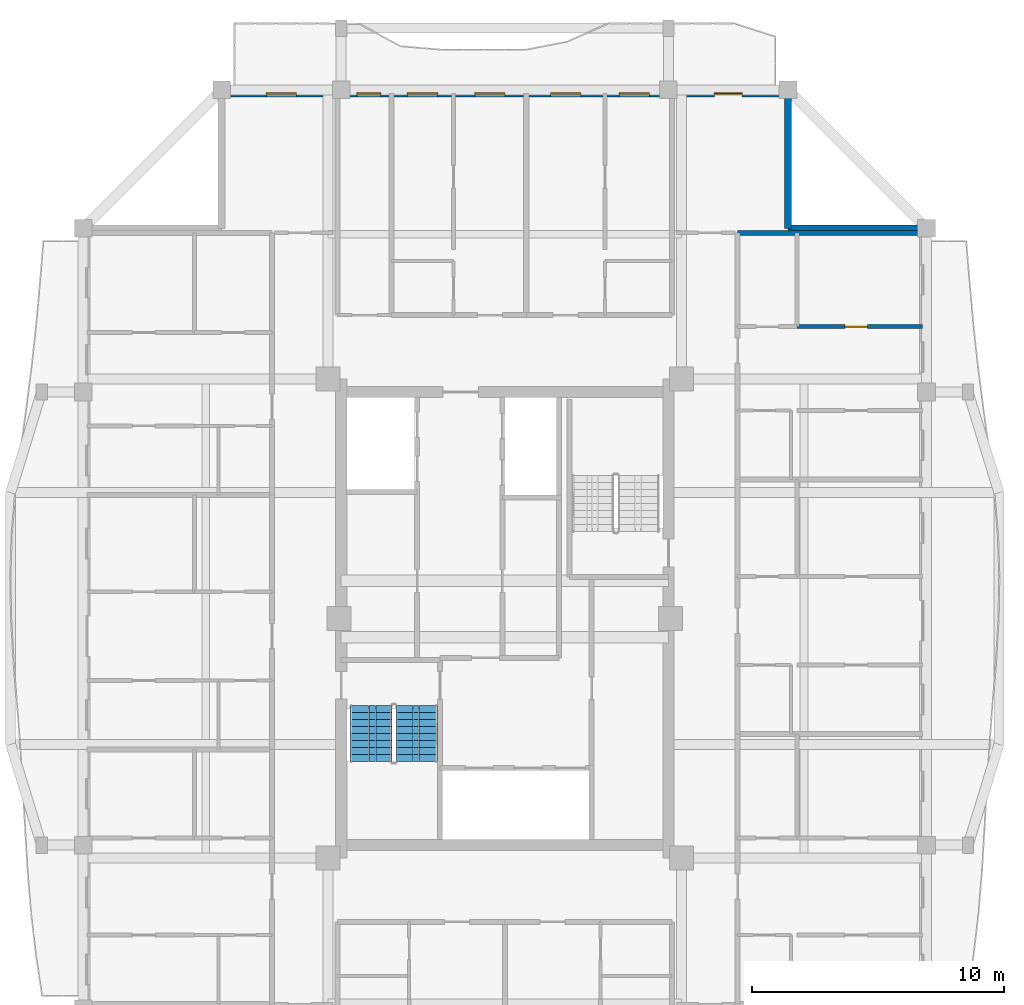
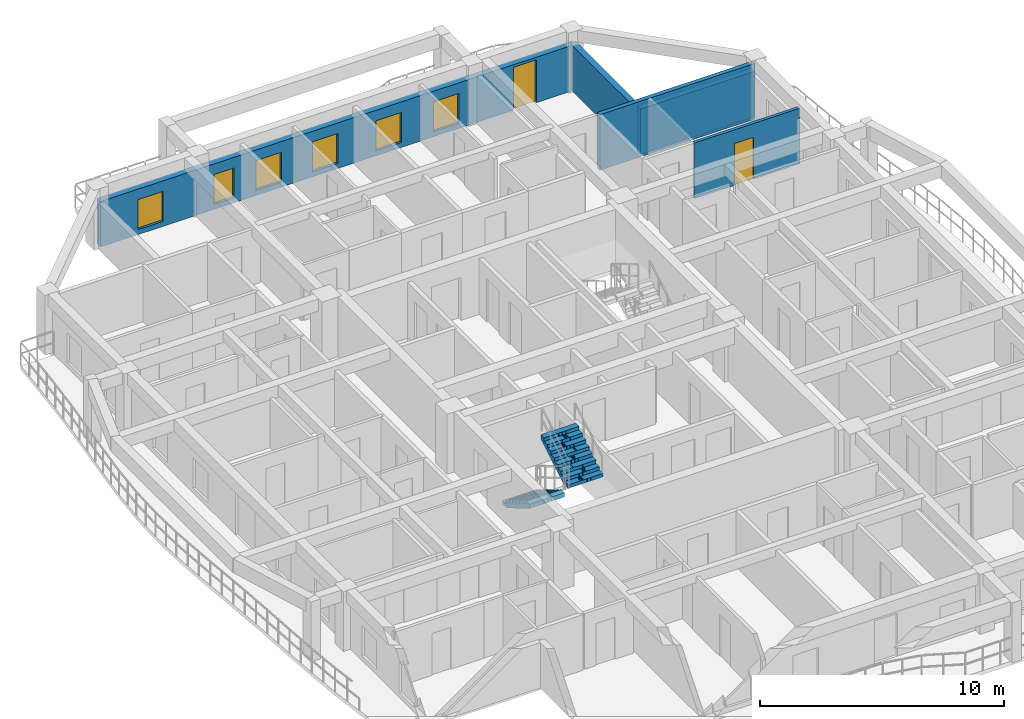
# One storey, part 7 of 13: 6 windows, 5 walls, 2 doors, 2 stair flights, 8 openings, 1 element without a shape of its own.
"""IFC4 building model written with IfcOpenShell, lengths in metres."""

from ifc_helpers import new_model, si_unit, direction, frame, frame_2d, origin, place, context, subcontext, project, spatial, polyline, rectangle, outline, extrude, source, transform, mapped, material, layer, layer_set, type_object, element, fill, aggregate, save


model = new_model("IFC4")

# Units and contexts
model_context = context("Model", 3, precision=1e-05, world=origin(), true_north=direction((0.0, 1.0)))
body_context = subcontext(model_context, "Body", "Model", "MODEL_VIEW")
ifc_project = project(units=[si_unit("LENGTHUNIT", "METRE"), si_unit("AREAUNIT", "SQUARE_METRE"), si_unit("VOLUMEUNIT", "CUBIC_METRE"), si_unit("PLANEANGLEUNIT", "RADIAN"), si_unit("MASSUNIT", "GRAM", prefix="KILO")], contexts=[model_context])

# Site, building, storey
site_placement = place(None, origin())
site = spatial("IfcSite", under=ifc_project, at=site_placement, CompositionType="ELEMENT")
building_placement = place(site_placement, origin())
building = spatial("IfcBuilding", under=site, at=building_placement, Name="Saelheon Loggia Tower", CompositionType="ELEMENT")
storey_placement = place(building_placement, frame((0.0, 0.0, 223.199951171875)))
storey = spatial("IfcBuildingStorey", under=building, at=storey_placement, Name="L69", CompositionType="ELEMENT", Elevation=223.199951171875)

# Wall, openings, windows, door
ifc_material_1 = material(Name="Architectural Precast Concrete C40/50", Category="concrete")
ifc_layer_1 = layer(ifc_material_1, 0.280029296875)
ifc_layer_set_1 = layer_set([ifc_layer_1], Name="Architectural Precast Concrete C40/50")
wall_type_1 = type_object("IfcWallType", Name="Wall_Ext_Loggia_280", PredefinedType="SOLIDWALL", material=ifc_layer_set_1)
wall_1_placement = place(storey_placement, frame((26.75, 47.860107421875, 0.0), z_axis=(0.0, 0.0, 1.0), x_axis=(1.0, 0.0, 0.0)))
wall_1 = element("IfcWall", 1, at=wall_1_placement, inside=storey, type_object=wall_type_1, Name="L69 North Loggia Inner Wall", PredefinedType="SOLIDWALL", context=body_context, shape_type="SweptSolid", body=[
    extrude(rectangle(XDim=22.5, YDim=0.280029296875, at=frame_2d((11.25, 0.0))), origin(), (0.0, 0.0, 1.0), 2.280029296875),
])
opening_1_placement = place(wall_1_placement, frame((1.77490234375, 0.0, 0.25)))
opening_1 = element("IfcOpeningElement", 2, at=opening_1_placement, cuts=wall_1, Name="Opening WN-03", PredefinedType="OPENING", context=body_context, shape_type="SweptSolid", body=[
    extrude(rectangle(XDim=1.199951171875, YDim=1.5, at=frame_2d((0.60009765625, 0.75))), frame((0.0, 0.152099609375, 0.0), z_axis=(0.0, -1.0, 0.0), x_axis=(1.0, 0.0, 0.0)), (0.0, 0.0, 1.0), 0.303955078125),
])
opening_2_placement = place(wall_1_placement, frame((5.3701171875, 0.0, 0.25)))
opening_2 = element("IfcOpeningElement", 3, at=opening_2_placement, cuts=wall_1, Name="Opening WN-04", PredefinedType="OPENING", context=body_context, shape_type="SweptSolid", body=[
    extrude(rectangle(XDim=0.949951171875, YDim=1.5, at=frame_2d((0.47509765625, 0.75))), frame((0.0, 0.152099609375, 0.0), z_axis=(0.0, -1.0, 0.0), x_axis=(1.0, 0.0, 0.0)), (0.0, 0.0, 1.0), 0.303955078125),
])
opening_3_placement = place(wall_1_placement, frame((7.381103515625, 0.0, 0.25)))
opening_3 = element("IfcOpeningElement", 4, at=opening_3_placement, cuts=wall_1, Name="Opening WN-03", PredefinedType="OPENING", context=body_context, shape_type="SweptSolid", body=[
    extrude(rectangle(XDim=1.199951171875, YDim=1.5, at=frame_2d((0.60009765625, 0.75))), frame((0.0, 0.152099609375, 0.0), z_axis=(0.0, -1.0, 0.0), x_axis=(1.0, 0.0, 0.0)), (0.0, 0.0, 1.0), 0.303955078125),
])
opening_4_placement = place(wall_1_placement, frame((10.056884765625, 0.0, 0.25)))
opening_4 = element("IfcOpeningElement", 5, at=opening_4_placement, cuts=wall_1, Name="Opening WN-03", PredefinedType="OPENING", context=body_context, shape_type="SweptSolid", body=[
    extrude(rectangle(XDim=1.199951171875, YDim=1.5, at=frame_2d((0.60009765625, 0.75))), frame((0.0, 0.152099609375, 0.0), z_axis=(0.0, -1.0, 0.0), x_axis=(1.0, 0.0, 0.0)), (0.0, 0.0, 1.0), 0.303955078125),
])
opening_5_placement = place(wall_1_placement, frame((13.0673828125, 0.0, 0.25)))
opening_5 = element("IfcOpeningElement", 6, at=opening_5_placement, cuts=wall_1, Name="Opening WN-03", PredefinedType="OPENING", context=body_context, shape_type="SweptSolid", body=[
    extrude(rectangle(XDim=1.199951171875, YDim=1.5, at=frame_2d((0.60009765625, 0.75))), frame((0.0, 0.152099609375, 0.0), z_axis=(0.0, -1.0, 0.0), x_axis=(1.0, 0.0, 0.0)), (0.0, 0.0, 1.0), 0.303955078125),
])
opening_6_placement = place(wall_1_placement, frame((15.79638671875, 0.0, 0.25)))
opening_6 = element("IfcOpeningElement", 7, at=opening_6_placement, cuts=wall_1, Name="Opening WN-03", PredefinedType="OPENING", context=body_context, shape_type="SweptSolid", body=[
    extrude(rectangle(XDim=1.199951171875, YDim=1.5, at=frame_2d((0.60009765625, 0.75))), frame((0.0, 0.152099609375, 0.0), z_axis=(0.0, -1.0, 0.0), x_axis=(1.0, 0.0, 0.0)), (0.0, 0.0, 1.0), 0.303955078125),
])
opening_7_placement = place(wall_1_placement, frame((19.574951171875, 0.0, 0.0)))
opening_7 = element("IfcOpeningElement", 8, at=opening_7_placement, cuts=wall_1, Name="Opening TD1", PredefinedType="OPENING", context=body_context, shape_type="SweptSolid", body=[
    extrude(rectangle(XDim=1.10009765625, YDim=2.14990234375, at=frame_2d((0.550048828125, 1.074951171875))), frame((0.0, 0.152099609375, 0.0), z_axis=(0.0, -1.0, 0.0), x_axis=(1.0, 0.0, 0.0)), (0.0, 0.0, 1.0), 0.303955078125),
])
ifc_material_2 = material(Name="Thermal-Break Aluminium and Triple Low-E Glass", Category="aluminium")
window_type_1 = type_object("IfcWindowType", Name="Win_Bedroom_1200x1500", PartitioningType="SINGLE_PANEL", PredefinedType="WINDOW", material=ifc_material_2)
shared_shape_1 = source(origin(), body_context, "Body", "SweptSolid", [
    extrude(rectangle(XDim=1.199951171875, YDim=1.5, at=frame_2d((0.60009765625, 0.75))), frame((0.0, 0.030029296875, 0.0), z_axis=(0.0, -1.0, 0.0), x_axis=(1.0, 0.0, 0.0)), (0.0, 0.0, 1.0), 0.06005859375),
])
window_1_placement = place(opening_1_placement, origin())
window_1 = element("IfcWindow", 9, at=window_1_placement, inside=storey, type_object=window_type_1, Name="L69 N Dwelling Window 1", OverallHeight=1.5, OverallWidth=1.199951171875, PartitioningType="SINGLE_PANEL", PredefinedType="WINDOW", context=body_context, shape_type="MappedRepresentation", body=[
    mapped(shared_shape_1, transform((0.0, 0.0, 0.0), scale=1.0)),
])
fill(opening_1, window_1)
window_2_placement = place(opening_3_placement, origin())
window_2 = element("IfcWindow", 10, at=window_2_placement, inside=storey, type_object=window_type_1, Name="L69 N Dwelling Window 3", OverallHeight=1.5, OverallWidth=1.199951171875, PartitioningType="SINGLE_PANEL", PredefinedType="WINDOW", context=body_context, shape_type="MappedRepresentation", body=[
    mapped(shared_shape_1, transform((0.0, 0.0, 0.0), scale=1.0)),
])
fill(opening_3, window_2)
window_3_placement = place(opening_4_placement, origin())
window_3 = element("IfcWindow", 11, at=window_3_placement, inside=storey, type_object=window_type_1, Name="L69 N Dwelling Window 4", OverallHeight=1.5, OverallWidth=1.199951171875, PartitioningType="SINGLE_PANEL", PredefinedType="WINDOW", context=body_context, shape_type="MappedRepresentation", body=[
    mapped(shared_shape_1, transform((0.0, 0.0, 0.0), scale=1.0)),
])
fill(opening_4, window_3)
window_4_placement = place(opening_5_placement, origin())
window_4 = element("IfcWindow", 12, at=window_4_placement, inside=storey, type_object=window_type_1, Name="L69 N Dwelling Window 5", OverallHeight=1.5, OverallWidth=1.199951171875, PartitioningType="SINGLE_PANEL", PredefinedType="WINDOW", context=body_context, shape_type="MappedRepresentation", body=[
    mapped(shared_shape_1, transform((0.0, 0.0, 0.0), scale=1.0)),
])
fill(opening_5, window_4)
window_5_placement = place(opening_6_placement, origin())
window_5 = element("IfcWindow", 13, at=window_5_placement, inside=storey, type_object=window_type_1, Name="L69 N Dwelling Window 6", OverallHeight=1.5, OverallWidth=1.199951171875, PartitioningType="SINGLE_PANEL", PredefinedType="WINDOW", context=body_context, shape_type="MappedRepresentation", body=[
    mapped(shared_shape_1, transform((0.0, 0.0, 0.0), scale=1.0)),
])
fill(opening_6, window_5)
ifc_material_3 = material(Name="Thermal-Break Aluminium Glazed Door", Category="aluminium")
door_type_1 = type_object("IfcDoorType", Name="Door_Terrace_TD1", OperationType="NOTDEFINED", PredefinedType="DOOR", material=ifc_material_3)
shared_shape_2 = source(origin(), body_context, "Body", "SweptSolid", [
    extrude(rectangle(XDim=1.10009765625, YDim=2.14990234375, at=frame_2d((0.550048828125, 1.074951171875))), frame((0.0, 0.02490234375, 0.0), z_axis=(0.0, -1.0, 0.0), x_axis=(1.0, 0.0, 0.0)), (0.0, 0.0, 1.0), 0.050048828125),
])
door_1_placement = place(opening_7_placement, origin())
door_1 = element("IfcDoor", 14, at=door_1_placement, inside=storey, type_object=door_type_1, Name="L69 N Loggia Access Door", OperationType="SINGLE_SWING_LEFT", OverallHeight=2.14990234375, OverallWidth=1.10009765625, PredefinedType="DOOR", context=body_context, shape_type="MappedRepresentation", body=[
    mapped(shared_shape_2, transform((0.0, 0.0, 0.0), scale=1.0)),
])
fill(opening_7, door_1)
window_type_2 = type_object("IfcWindowType", Name="Win_Narrow_950x1500", PartitioningType="SINGLE_PANEL", PredefinedType="WINDOW", material=ifc_material_2)
shared_shape_3 = source(origin(), body_context, "Body", "SweptSolid", [
    extrude(rectangle(XDim=0.949951171875, YDim=1.5, at=frame_2d((0.47509765625, 0.75))), frame((0.0, 0.030029296875, 0.0), z_axis=(0.0, -1.0, 0.0), x_axis=(1.0, 0.0, 0.0)), (0.0, 0.0, 1.0), 0.06005859375),
])
window_6_placement = place(opening_2_placement, origin())
window_6 = element("IfcWindow", 15, at=window_6_placement, inside=storey, type_object=window_type_2, Name="L69 N Dwelling Window 2", OverallHeight=1.5, OverallWidth=0.949951171875, PartitioningType="SINGLE_PANEL", PredefinedType="WINDOW", context=body_context, shape_type="MappedRepresentation", body=[
    mapped(shared_shape_3, transform((0.0, 0.0, 0.0), scale=1.0)),
])
fill(opening_2, window_6)

# Walls
for number, where, z_axis, x_axis, name in (
    (16, (49.25, 42.5, 0.0), (0.0, 0.0, 1.0), (0.0, 1.0, 0.0), "L69 Corner Notch Precast Wall NE1"),
    (17, (49.25, 42.5, 0.0), (0.0, 0.0, 1.0), (1.0, 0.0, 0.0), "L69 Corner Notch Precast Wall NE2"),
):
    element("IfcWall", number, at=place(storey_placement, frame(where, z_axis=z_axis, x_axis=x_axis)), inside=storey, type_object=wall_type_1, Name=name, PredefinedType="SOLIDWALL", context=body_context, shape_type="SweptSolid", body=[
        extrude(rectangle(XDim=5.419921875, YDim=0.280029296875, at=frame_2d((2.7099609375, 0.0))), origin(), (0.0, 0.0, 1.0), 2.280029296875),
    ])

# Wall, opening, door
ifc_material_4 = material(Name="Lightweight Autoclaved Aerated Concrete Block and Acoustic Gypsum", Category="concrete")
ifc_layer_2 = layer(ifc_material_4, 0.14990234375)
ifc_layer_set_2 = layer_set([ifc_layer_2], Name="Lightweight Autoclaved Aerated Concrete Block and Acoustic Gypsum")
wall_type_2 = type_object("IfcWallType", Name="Wall_Part_150", PredefinedType="PARTITIONING", material=ifc_layer_set_2)
wall_2_placement = place(storey_placement, frame((49.610107421875, 38.59423828125, 0.0), z_axis=(0.0, 0.0, 1.0), x_axis=(1.0, 0.0, 0.0)))
wall_2 = element("IfcWall", 18, at=wall_2_placement, inside=storey, type_object=wall_type_2, Name="L69 E Partition U31", PredefinedType="PARTITIONING", context=body_context, shape_type="SweptSolid", body=[
    extrude(rectangle(XDim=4.989990234375, YDim=0.14990234375, at=frame_2d((2.4951171875, 0.0))), origin(), (0.0, 0.0, 1.0), 2.7900390625),
])
opening_8_placement = place(wall_2_placement, frame((1.89453125, 0.0, 0.0)))
opening_8 = element("IfcOpeningElement", 19, at=opening_8_placement, cuts=wall_2, Name="Opening D-IN2", PredefinedType="OPENING", context=body_context, shape_type="SweptSolid", body=[
    extrude(rectangle(XDim=0.89990234375, YDim=2.10009765625, at=frame_2d((0.449951171875, 1.050048828125))), frame((0.0, 0.0869140625, 0.0), z_axis=(0.0, -1.0, 0.0), x_axis=(1.0, 0.0, 0.0)), (0.0, 0.0, 1.0), 0.173828125),
])
ifc_material_5 = material(Name="Engineered Oak Flush Door", Category="timber")
door_type_2 = type_object("IfcDoorType", Name="Door_Int_900", OperationType="NOTDEFINED", PredefinedType="DOOR", material=ifc_material_5)
shared_shape_4 = source(origin(), body_context, "Body", "SweptSolid", [
    extrude(rectangle(XDim=0.89990234375, YDim=2.10009765625, at=frame_2d((0.449951171875, 1.050048828125))), frame((0.0, 0.02490234375, 0.0), z_axis=(0.0, -1.0, 0.0), x_axis=(1.0, 0.0, 0.0)), (0.0, 0.0, 1.0), 0.050048828125),
])
door_2_placement = place(opening_8_placement, origin())
door_2 = element("IfcDoor", 20, at=door_2_placement, inside=storey, type_object=door_type_2, Name="Unit U10 Bedroom 1 Door", OperationType="SINGLE_SWING_RIGHT", OverallHeight=2.10009765625, OverallWidth=0.89990234375, PredefinedType="DOOR", context=body_context, shape_type="MappedRepresentation", body=[
    mapped(shared_shape_4, transform((0.0, 0.0, 0.0), scale=1.0)),
])
fill(opening_8, door_2)

# Wall
ifc_material_6 = material(Name="Double Acoustic Stud and Fireboard Partition", Category="gypsum")
ifc_layer_3 = layer(ifc_material_6, 0.199951171875)
ifc_layer_set_3 = layer_set([ifc_layer_3], Name="Double Acoustic Stud and Fireboard Partition")
wall_type_3 = type_object("IfcWallType", Name="Wall_Party_200", PredefinedType="PARTITIONING", material=ifc_layer_set_3)
wall_3_placement = place(storey_placement, frame((47.25, 42.320068359375, 0.0), z_axis=(0.0, 0.0, 1.0), x_axis=(1.0, 0.0, 0.0)))
element("IfcWall", 21, at=wall_3_placement, inside=storey, type_object=wall_type_3, Name="L69 E Partition U02", PredefinedType="PARTITIONING", context=body_context, shape_type="SweptSolid", body=[
    extrude(rectangle(XDim=7.35009765625, YDim=0.199951171875, at=frame_2d((3.675048828125, 0.0))), origin(), (0.0, 0.0, 1.0), 2.7900390625),
])

# Stair, stair flights
ifc_material_7 = material(Name="Concrete C40/50", Category="concrete")
stair_type = type_object("IfcStairType", Name="Stair_Escape_Core", PredefinedType="HALF_TURN_STAIR", material=ifc_material_7)
stair_placement = place(storey_placement, origin())
stair = element("IfcStair", 22, at=stair_placement, inside=storey, type_object=stair_type, Name="L69 Special Escape Stair ST1", PredefinedType="HALF_TURN_STAIR")
stair_flight_type = type_object("IfcStairFlightType", Name="StairFlight_Tower_1660", PredefinedType="STRAIGHT", material=ifc_material_7)
stair_flight_1_placement = place(storey_placement, frame((32.679931640625, 23.550048828125, 0.0), z_axis=(0.0, 0.0, 1.0), x_axis=(0.0, -1.0, 0.0)))
stair_flight_1 = element("IfcStairFlight", 23, at=stair_flight_1_placement, type_object=stair_flight_type, Name="ST1 flight 1", NumberOfRisers=9, NumberOfTreads=8, PredefinedType="STRAIGHT", RiserHeight=0.166666667, TreadLength=0.28, context=body_context, shape_type="SweptSolid", body=[
    extrude(outline(polyline([(0.0, 0.0), (0.0, 0.166748046875), (0.280029296875, 0.166748046875), (0.280029296875, 0.333251953125), (0.56005859375, 0.333251953125), (0.56005859375, 0.5), (0.840087890625, 0.5), (0.840087890625, 0.666748046875), (1.1201171875, 0.666748046875), (1.1201171875, 0.833251953125), (1.39990234375, 0.833251953125), (1.39990234375, 1.0), (1.679931640625, 1.0), (1.679931640625, 1.166748046875), (1.9599609375, 1.166748046875), (1.9599609375, 1.333251953125), (2.239990234375, 1.333251953125), (2.239990234375, 1.5), (2.239990234375, 1.1240234375), (0.351806640625, 0.0), (0.0, 0.0)])), frame((0.0, -0.2490234375, 0.0), z_axis=(0.0, -1.0, 0.0), x_axis=(1.0, 0.0, 0.0)), (0.0, 0.0, 1.0), 0.5810546875),
    extrude(outline(polyline([(0.0, 0.0), (0.0, 0.166748046875), (0.280029296875, 0.166748046875), (0.280029296875, 0.333251953125), (0.56005859375, 0.333251953125), (0.56005859375, 0.5), (0.840087890625, 0.5), (0.840087890625, 0.666748046875), (1.1201171875, 0.666748046875), (1.1201171875, 0.833251953125), (1.39990234375, 0.833251953125), (1.39990234375, 1.0), (1.679931640625, 1.0), (1.679931640625, 1.166748046875), (1.9599609375, 1.166748046875), (1.9599609375, 1.333251953125), (2.239990234375, 1.333251953125), (2.239990234375, 1.5), (2.239990234375, 1.1240234375), (0.351806640625, 0.0), (0.0, 0.0)])), frame((0.0, -0.194091796875, 0.0), z_axis=(0.0, -1.0, 0.0), x_axis=(1.0, 0.0, 0.0)), (0.0, 0.0, 1.0), 0.0498046875),
    extrude(outline(polyline([(0.0, 0.0), (0.0, 0.166748046875), (0.280029296875, 0.166748046875), (0.280029296875, 0.333251953125), (0.56005859375, 0.333251953125), (0.56005859375, 0.5), (0.840087890625, 0.5), (0.840087890625, 0.666748046875), (1.1201171875, 0.666748046875), (1.1201171875, 0.833251953125), (1.39990234375, 0.833251953125), (1.39990234375, 1.0), (1.679931640625, 1.0), (1.679931640625, 1.166748046875), (1.9599609375, 1.166748046875), (1.9599609375, 1.333251953125), (2.239990234375, 1.333251953125), (2.239990234375, 1.5), (2.239990234375, 1.1240234375), (0.351806640625, 0.0), (0.0, 0.0)])), frame((0.0, -0.139404296875, 0.0), z_axis=(0.0, -1.0, 0.0), x_axis=(1.0, 0.0, 0.0)), (0.0, 0.0, 1.0), 0.0498046875),
    extrude(outline(polyline([(0.0, 0.0), (0.0, 0.166748046875), (0.280029296875, 0.166748046875), (0.280029296875, 0.333251953125), (0.56005859375, 0.333251953125), (0.56005859375, 0.5), (0.840087890625, 0.5), (0.840087890625, 0.666748046875), (1.1201171875, 0.666748046875), (1.1201171875, 0.833251953125), (1.39990234375, 0.833251953125), (1.39990234375, 1.0), (1.679931640625, 1.0), (1.679931640625, 1.166748046875), (1.9599609375, 1.166748046875), (1.9599609375, 1.333251953125), (2.239990234375, 1.333251953125), (2.239990234375, 1.5), (2.239990234375, 1.1240234375), (0.351806640625, 0.0), (0.0, 0.0)])), frame((0.0, -0.084716796875, 0.0), z_axis=(0.0, -1.0, 0.0), x_axis=(1.0, 0.0, 0.0)), (0.0, 0.0, 1.0), 0.0498046875),
    extrude(outline(polyline([(0.0, 0.0), (0.0, 0.166748046875), (0.280029296875, 0.166748046875), (0.280029296875, 0.333251953125), (0.56005859375, 0.333251953125), (0.56005859375, 0.5), (0.840087890625, 0.5), (0.840087890625, 0.666748046875), (1.1201171875, 0.666748046875), (1.1201171875, 0.833251953125), (1.39990234375, 0.833251953125), (1.39990234375, 1.0), (1.679931640625, 1.0), (1.679931640625, 1.166748046875), (1.9599609375, 1.166748046875), (1.9599609375, 1.333251953125), (2.239990234375, 1.333251953125), (2.239990234375, 1.5), (2.239990234375, 1.1240234375), (0.351806640625, 0.0), (0.0, 0.0)])), frame((0.0, -0.02978515625, 0.0), z_axis=(0.0, -1.0, 0.0), x_axis=(1.0, 0.0, 0.0)), (0.0, 0.0, 1.0), 0.0498046875),
    extrude(outline(polyline([(0.0, 0.0), (0.0, 0.166748046875), (0.280029296875, 0.166748046875), (0.280029296875, 0.333251953125), (0.56005859375, 0.333251953125), (0.56005859375, 0.5), (0.840087890625, 0.5), (0.840087890625, 0.666748046875), (1.1201171875, 0.666748046875), (1.1201171875, 0.833251953125), (1.39990234375, 0.833251953125), (1.39990234375, 1.0), (1.679931640625, 1.0), (1.679931640625, 1.166748046875), (1.9599609375, 1.166748046875), (1.9599609375, 1.333251953125), (2.239990234375, 1.333251953125), (2.239990234375, 1.5), (2.239990234375, 1.1240234375), (0.351806640625, 0.0), (0.0, 0.0)])), frame((0.0, 0.02490234375, 0.0), z_axis=(0.0, -1.0, 0.0), x_axis=(1.0, 0.0, 0.0)), (0.0, 0.0, 1.0), 0.0498046875),
    extrude(outline(polyline([(0.0, 0.0), (0.0, 0.166748046875), (0.280029296875, 0.166748046875), (0.280029296875, 0.333251953125), (0.56005859375, 0.333251953125), (0.56005859375, 0.5), (0.840087890625, 0.5), (0.840087890625, 0.666748046875), (1.1201171875, 0.666748046875), (1.1201171875, 0.833251953125), (1.39990234375, 0.833251953125), (1.39990234375, 1.0), (1.679931640625, 1.0), (1.679931640625, 1.166748046875), (1.9599609375, 1.166748046875), (1.9599609375, 1.333251953125), (2.239990234375, 1.333251953125), (2.239990234375, 1.5), (2.239990234375, 1.1240234375), (0.351806640625, 0.0), (0.0, 0.0)])), frame((0.0, 0.07958984375, 0.0), z_axis=(0.0, -1.0, 0.0), x_axis=(1.0, 0.0, 0.0)), (0.0, 0.0, 1.0), 0.0498046875),
    extrude(outline(polyline([(0.0, 0.0), (0.0, 0.166748046875), (0.280029296875, 0.166748046875), (0.280029296875, 0.333251953125), (0.56005859375, 0.333251953125), (0.56005859375, 0.5), (0.840087890625, 0.5), (0.840087890625, 0.666748046875), (1.1201171875, 0.666748046875), (1.1201171875, 0.833251953125), (1.39990234375, 0.833251953125), (1.39990234375, 1.0), (1.679931640625, 1.0), (1.679931640625, 1.166748046875), (1.9599609375, 1.166748046875), (1.9599609375, 1.333251953125), (2.239990234375, 1.333251953125), (2.239990234375, 1.5), (2.239990234375, 1.1240234375), (0.351806640625, 0.0), (0.0, 0.0)])), frame((0.0, 0.134521484375, 0.0), z_axis=(0.0, -1.0, 0.0), x_axis=(1.0, 0.0, 0.0)), (0.0, 0.0, 1.0), 0.0498046875),
    extrude(outline(polyline([(0.0, 0.0), (0.0, 0.166748046875), (0.280029296875, 0.166748046875), (0.280029296875, 0.333251953125), (0.56005859375, 0.333251953125), (0.56005859375, 0.5), (0.840087890625, 0.5), (0.840087890625, 0.666748046875), (1.1201171875, 0.666748046875), (1.1201171875, 0.833251953125), (1.39990234375, 0.833251953125), (1.39990234375, 1.0), (1.679931640625, 1.0), (1.679931640625, 1.166748046875), (1.9599609375, 1.166748046875), (1.9599609375, 1.333251953125), (2.239990234375, 1.333251953125), (2.239990234375, 1.5), (2.239990234375, 1.1240234375), (0.351806640625, 0.0), (0.0, 0.0)])), frame((0.0, 0.189208984375, 0.0), z_axis=(0.0, -1.0, 0.0), x_axis=(1.0, 0.0, 0.0)), (0.0, 0.0, 1.0), 0.0498046875),
    extrude(outline(polyline([(0.0, 0.0), (0.0, 0.166748046875), (0.280029296875, 0.166748046875), (0.280029296875, 0.333251953125), (0.56005859375, 0.333251953125), (0.56005859375, 0.5), (0.840087890625, 0.5), (0.840087890625, 0.666748046875), (1.1201171875, 0.666748046875), (1.1201171875, 0.833251953125), (1.39990234375, 0.833251953125), (1.39990234375, 1.0), (1.679931640625, 1.0), (1.679931640625, 1.166748046875), (1.9599609375, 1.166748046875), (1.9599609375, 1.333251953125), (2.239990234375, 1.333251953125), (2.239990234375, 1.5), (2.239990234375, 1.1240234375), (0.351806640625, 0.0), (0.0, 0.0)])), frame((0.0, 0.243896484375, 0.0), z_axis=(0.0, -1.0, 0.0), x_axis=(1.0, 0.0, 0.0)), (0.0, 0.0, 1.0), 0.0498046875),
    extrude(outline(polyline([(0.0, 0.0), (0.0, 0.166748046875), (0.280029296875, 0.166748046875), (0.280029296875, 0.333251953125), (0.56005859375, 0.333251953125), (0.56005859375, 0.5), (0.840087890625, 0.5), (0.840087890625, 0.666748046875), (1.1201171875, 0.666748046875), (1.1201171875, 0.833251953125), (1.39990234375, 0.833251953125), (1.39990234375, 1.0), (1.679931640625, 1.0), (1.679931640625, 1.166748046875), (1.9599609375, 1.166748046875), (1.9599609375, 1.333251953125), (2.239990234375, 1.333251953125), (2.239990234375, 1.5), (2.239990234375, 1.1240234375), (0.351806640625, 0.0), (0.0, 0.0)])), frame((0.0, 0.830078125, 0.0), z_axis=(0.0, -1.0, 0.0), x_axis=(1.0, 0.0, 0.0)), (0.0, 0.0, 1.0), 0.5810546875),
])
stair_flight_2_placement = place(storey_placement, frame((34.5, 21.31005859375, 1.5), z_axis=(0.0, 0.0, 1.0), x_axis=(0.0, 1.0, 0.0)))
stair_flight_2 = element("IfcStairFlight", 24, at=stair_flight_2_placement, type_object=stair_flight_type, Name="ST1 flight 2", NumberOfRisers=9, NumberOfTreads=8, PredefinedType="STRAIGHT", RiserHeight=0.166666667, TreadLength=0.28, context=body_context, shape_type="SweptSolid", body=[
    extrude(outline(polyline([(0.0, 0.0), (0.0, 0.166748046875), (0.280029296875, 0.166748046875), (0.280029296875, 0.333251953125), (0.56005859375, 0.333251953125), (0.56005859375, 0.5), (0.840087890625, 0.5), (0.840087890625, 0.666748046875), (1.1201171875, 0.666748046875), (1.1201171875, 0.833251953125), (1.39990234375, 0.833251953125), (1.39990234375, 1.0), (1.679931640625, 1.0), (1.679931640625, 1.166748046875), (1.9599609375, 1.166748046875), (1.9599609375, 1.333251953125), (2.239990234375, 1.333251953125), (2.239990234375, 1.5), (2.239990234375, 1.1240234375), (0.351806640625, 0.0), (0.0, 0.0)])), frame((0.0, -0.2490234375, 0.0), z_axis=(0.0, -1.0, 0.0), x_axis=(1.0, 0.0, 0.0)), (0.0, 0.0, 1.0), 0.5810546875),
    extrude(outline(polyline([(0.0, 0.0), (0.0, 0.166748046875), (0.280029296875, 0.166748046875), (0.280029296875, 0.333251953125), (0.56005859375, 0.333251953125), (0.56005859375, 0.5), (0.840087890625, 0.5), (0.840087890625, 0.666748046875), (1.1201171875, 0.666748046875), (1.1201171875, 0.833251953125), (1.39990234375, 0.833251953125), (1.39990234375, 1.0), (1.679931640625, 1.0), (1.679931640625, 1.166748046875), (1.9599609375, 1.166748046875), (1.9599609375, 1.333251953125), (2.239990234375, 1.333251953125), (2.239990234375, 1.5), (2.239990234375, 1.1240234375), (0.351806640625, 0.0), (0.0, 0.0)])), frame((0.0, -0.194091796875, 0.0), z_axis=(0.0, -1.0, 0.0), x_axis=(1.0, 0.0, 0.0)), (0.0, 0.0, 1.0), 0.0498046875),
    extrude(outline(polyline([(0.0, 0.0), (0.0, 0.166748046875), (0.280029296875, 0.166748046875), (0.280029296875, 0.333251953125), (0.56005859375, 0.333251953125), (0.56005859375, 0.5), (0.840087890625, 0.5), (0.840087890625, 0.666748046875), (1.1201171875, 0.666748046875), (1.1201171875, 0.833251953125), (1.39990234375, 0.833251953125), (1.39990234375, 1.0), (1.679931640625, 1.0), (1.679931640625, 1.166748046875), (1.9599609375, 1.166748046875), (1.9599609375, 1.333251953125), (2.239990234375, 1.333251953125), (2.239990234375, 1.5), (2.239990234375, 1.1240234375), (0.351806640625, 0.0), (0.0, 0.0)])), frame((0.0, -0.139404296875, 0.0), z_axis=(0.0, -1.0, 0.0), x_axis=(1.0, 0.0, 0.0)), (0.0, 0.0, 1.0), 0.0498046875),
    extrude(outline(polyline([(0.0, 0.0), (0.0, 0.166748046875), (0.280029296875, 0.166748046875), (0.280029296875, 0.333251953125), (0.56005859375, 0.333251953125), (0.56005859375, 0.5), (0.840087890625, 0.5), (0.840087890625, 0.666748046875), (1.1201171875, 0.666748046875), (1.1201171875, 0.833251953125), (1.39990234375, 0.833251953125), (1.39990234375, 1.0), (1.679931640625, 1.0), (1.679931640625, 1.166748046875), (1.9599609375, 1.166748046875), (1.9599609375, 1.333251953125), (2.239990234375, 1.333251953125), (2.239990234375, 1.5), (2.239990234375, 1.1240234375), (0.351806640625, 0.0), (0.0, 0.0)])), frame((0.0, -0.084716796875, 0.0), z_axis=(0.0, -1.0, 0.0), x_axis=(1.0, 0.0, 0.0)), (0.0, 0.0, 1.0), 0.0498046875),
    extrude(outline(polyline([(0.0, 0.0), (0.0, 0.166748046875), (0.280029296875, 0.166748046875), (0.280029296875, 0.333251953125), (0.56005859375, 0.333251953125), (0.56005859375, 0.5), (0.840087890625, 0.5), (0.840087890625, 0.666748046875), (1.1201171875, 0.666748046875), (1.1201171875, 0.833251953125), (1.39990234375, 0.833251953125), (1.39990234375, 1.0), (1.679931640625, 1.0), (1.679931640625, 1.166748046875), (1.9599609375, 1.166748046875), (1.9599609375, 1.333251953125), (2.239990234375, 1.333251953125), (2.239990234375, 1.5), (2.239990234375, 1.1240234375), (0.351806640625, 0.0), (0.0, 0.0)])), frame((0.0, -0.02978515625, 0.0), z_axis=(0.0, -1.0, 0.0), x_axis=(1.0, 0.0, 0.0)), (0.0, 0.0, 1.0), 0.0498046875),
    extrude(outline(polyline([(0.0, 0.0), (0.0, 0.166748046875), (0.280029296875, 0.166748046875), (0.280029296875, 0.333251953125), (0.56005859375, 0.333251953125), (0.56005859375, 0.5), (0.840087890625, 0.5), (0.840087890625, 0.666748046875), (1.1201171875, 0.666748046875), (1.1201171875, 0.833251953125), (1.39990234375, 0.833251953125), (1.39990234375, 1.0), (1.679931640625, 1.0), (1.679931640625, 1.166748046875), (1.9599609375, 1.166748046875), (1.9599609375, 1.333251953125), (2.239990234375, 1.333251953125), (2.239990234375, 1.5), (2.239990234375, 1.1240234375), (0.351806640625, 0.0), (0.0, 0.0)])), frame((0.0, 0.02490234375, 0.0), z_axis=(0.0, -1.0, 0.0), x_axis=(1.0, 0.0, 0.0)), (0.0, 0.0, 1.0), 0.0498046875),
    extrude(outline(polyline([(0.0, 0.0), (0.0, 0.166748046875), (0.280029296875, 0.166748046875), (0.280029296875, 0.333251953125), (0.56005859375, 0.333251953125), (0.56005859375, 0.5), (0.840087890625, 0.5), (0.840087890625, 0.666748046875), (1.1201171875, 0.666748046875), (1.1201171875, 0.833251953125), (1.39990234375, 0.833251953125), (1.39990234375, 1.0), (1.679931640625, 1.0), (1.679931640625, 1.166748046875), (1.9599609375, 1.166748046875), (1.9599609375, 1.333251953125), (2.239990234375, 1.333251953125), (2.239990234375, 1.5), (2.239990234375, 1.1240234375), (0.351806640625, 0.0), (0.0, 0.0)])), frame((0.0, 0.07958984375, 0.0), z_axis=(0.0, -1.0, 0.0), x_axis=(1.0, 0.0, 0.0)), (0.0, 0.0, 1.0), 0.0498046875),
    extrude(outline(polyline([(0.0, 0.0), (0.0, 0.166748046875), (0.280029296875, 0.166748046875), (0.280029296875, 0.333251953125), (0.56005859375, 0.333251953125), (0.56005859375, 0.5), (0.840087890625, 0.5), (0.840087890625, 0.666748046875), (1.1201171875, 0.666748046875), (1.1201171875, 0.833251953125), (1.39990234375, 0.833251953125), (1.39990234375, 1.0), (1.679931640625, 1.0), (1.679931640625, 1.166748046875), (1.9599609375, 1.166748046875), (1.9599609375, 1.333251953125), (2.239990234375, 1.333251953125), (2.239990234375, 1.5), (2.239990234375, 1.1240234375), (0.351806640625, 0.0), (0.0, 0.0)])), frame((0.0, 0.134521484375, 0.0), z_axis=(0.0, -1.0, 0.0), x_axis=(1.0, 0.0, 0.0)), (0.0, 0.0, 1.0), 0.0498046875),
    extrude(outline(polyline([(0.0, 0.0), (0.0, 0.166748046875), (0.280029296875, 0.166748046875), (0.280029296875, 0.333251953125), (0.56005859375, 0.333251953125), (0.56005859375, 0.5), (0.840087890625, 0.5), (0.840087890625, 0.666748046875), (1.1201171875, 0.666748046875), (1.1201171875, 0.833251953125), (1.39990234375, 0.833251953125), (1.39990234375, 1.0), (1.679931640625, 1.0), (1.679931640625, 1.166748046875), (1.9599609375, 1.166748046875), (1.9599609375, 1.333251953125), (2.239990234375, 1.333251953125), (2.239990234375, 1.5), (2.239990234375, 1.1240234375), (0.351806640625, 0.0), (0.0, 0.0)])), frame((0.0, 0.189208984375, 0.0), z_axis=(0.0, -1.0, 0.0), x_axis=(1.0, 0.0, 0.0)), (0.0, 0.0, 1.0), 0.0498046875),
    extrude(outline(polyline([(0.0, 0.0), (0.0, 0.166748046875), (0.280029296875, 0.166748046875), (0.280029296875, 0.333251953125), (0.56005859375, 0.333251953125), (0.56005859375, 0.5), (0.840087890625, 0.5), (0.840087890625, 0.666748046875), (1.1201171875, 0.666748046875), (1.1201171875, 0.833251953125), (1.39990234375, 0.833251953125), (1.39990234375, 1.0), (1.679931640625, 1.0), (1.679931640625, 1.166748046875), (1.9599609375, 1.166748046875), (1.9599609375, 1.333251953125), (2.239990234375, 1.333251953125), (2.239990234375, 1.5), (2.239990234375, 1.1240234375), (0.351806640625, 0.0), (0.0, 0.0)])), frame((0.0, 0.243896484375, 0.0), z_axis=(0.0, -1.0, 0.0), x_axis=(1.0, 0.0, 0.0)), (0.0, 0.0, 1.0), 0.0498046875),
    extrude(outline(polyline([(0.0, 0.0), (0.0, 0.166748046875), (0.280029296875, 0.166748046875), (0.280029296875, 0.333251953125), (0.56005859375, 0.333251953125), (0.56005859375, 0.5), (0.840087890625, 0.5), (0.840087890625, 0.666748046875), (1.1201171875, 0.666748046875), (1.1201171875, 0.833251953125), (1.39990234375, 0.833251953125), (1.39990234375, 1.0), (1.679931640625, 1.0), (1.679931640625, 1.166748046875), (1.9599609375, 1.166748046875), (1.9599609375, 1.333251953125), (2.239990234375, 1.333251953125), (2.239990234375, 1.5), (2.239990234375, 1.1240234375), (0.351806640625, 0.0), (0.0, 0.0)])), frame((0.0, 0.830078125, 0.0), z_axis=(0.0, -1.0, 0.0), x_axis=(1.0, 0.0, 0.0)), (0.0, 0.0, 1.0), 0.5810546875),
])
aggregate(stair, [stair_flight_1, stair_flight_2])

save(model, "model.ifc")
